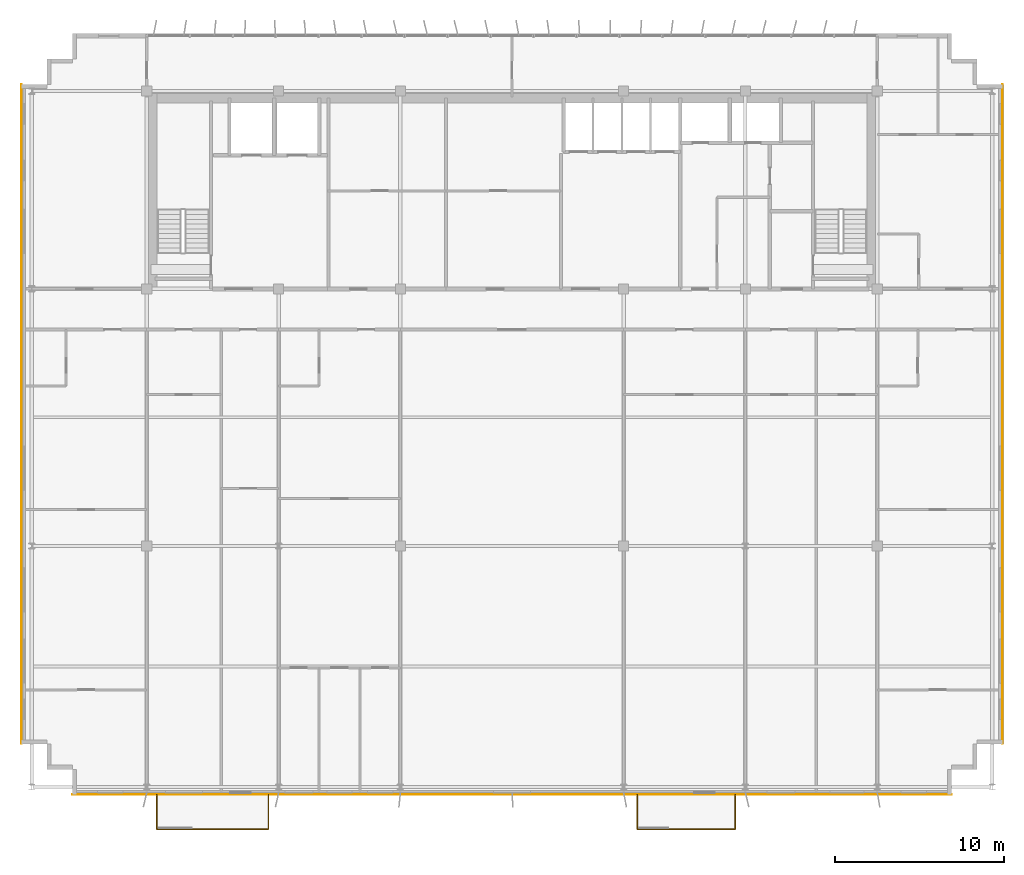
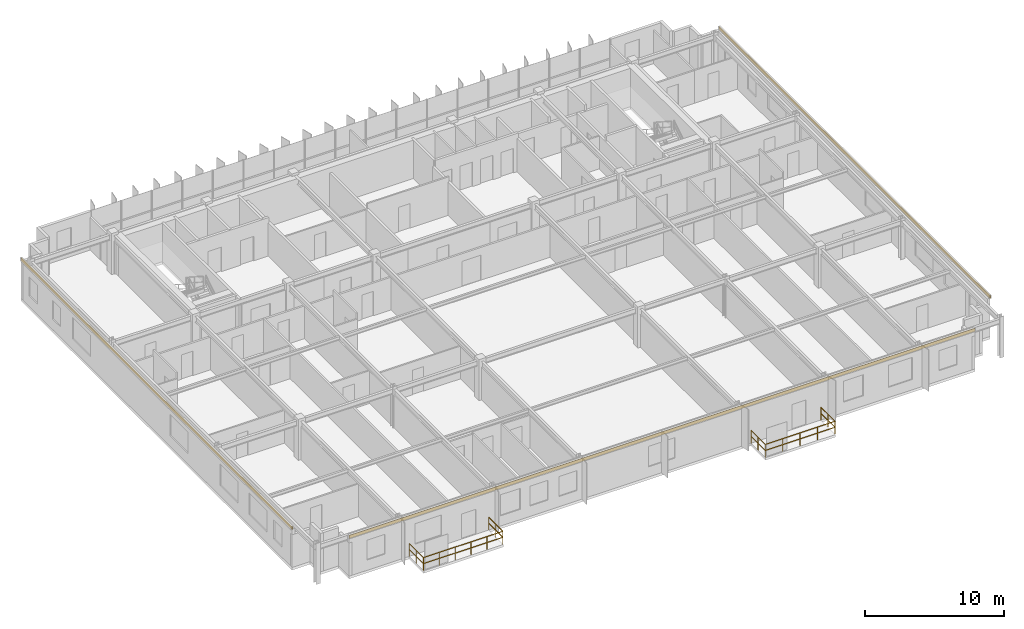
# One storey, part 21 of 22: 6 railings, 3 coverings.
"""IFC4 building model written with IfcOpenShell, lengths in metres."""

from ifc_helpers import new_model, si_unit, direction, frame, origin, origin_2d, place, context, subcontext, project, spatial, rectangle, extrude, source, transform, mapped, material, layer, layer_set, type_object, element, save


model = new_model("IFC4")

# Units and contexts
model_context = context("Model", 3, precision=1e-05, world=origin(), true_north=direction((0.0, 1.0)))
body_context = subcontext(model_context, "Body", "Model", "MODEL_VIEW")
ifc_project = project(units=[si_unit("LENGTHUNIT", "METRE"), si_unit("AREAUNIT", "SQUARE_METRE"), si_unit("VOLUMEUNIT", "CUBIC_METRE"), si_unit("PLANEANGLEUNIT", "RADIAN"), si_unit("MASSUNIT", "GRAM", prefix="KILO")], contexts=[model_context])

# Site, building, storey
site_placement = place(None, origin())
site = spatial("IfcSite", under=ifc_project, at=site_placement, CompositionType="ELEMENT")
building_placement = place(site_placement, origin())
building = spatial("IfcBuilding", under=site, at=building_placement, Name="Trelvane Seafront Commons", CompositionType="ELEMENT")
storey_placement = place(building_placement, frame((0.0, 0.0, 277.5)))
storey = spatial("IfcBuildingStorey", under=building, at=storey_placement, Name="L72", CompositionType="ELEMENT", Elevation=277.5)

# Railings
ifc_material_1 = material(Name="Stainless steel balustrade", Category="steel")
railing_type = type_object("IfcRailingType", Name="ARCH-RAIL-BAL1150", PredefinedType="BALUSTRADE", material=ifc_material_1)
railing_1_placement = place(storey_placement, frame((16.199951171875, 3.5, 0.0)))
element("IfcRailing", 1, at=railing_1_placement, inside=storey, type_object=railing_type, Name="RL-L72-BAL0-01", PredefinedType="BALUSTRADE", context=body_context, shape_type="SweptSolid", body=[
    extrude(rectangle(XDim=0.048095703125, YDim=0.048095703125, at=origin_2d()), frame((0.0, 0.0, 1.1259765625), z_axis=(0.0, -1.0, 0.0), x_axis=(1.0, 0.0, 0.0)), (0.0, 0.0, 1.0), 2.0400390625),
    extrude(rectangle(XDim=0.048095703125, YDim=0.048095703125, at=origin_2d()), frame((0.0, 0.0, 0.597900390625), z_axis=(0.0, -1.0, 0.0), x_axis=(1.0, 0.0, 0.0)), (0.0, 0.0, 1.0), 2.0400390625),
    extrude(rectangle(XDim=0.0419921875, YDim=0.0419921875, at=origin_2d()), origin(), (0.0, 0.0, 1.0), 1.1259765625),
    extrude(rectangle(XDim=0.0419921875, YDim=0.0419921875, at=origin_2d()), frame((0.0, -1.02001953125, 0.0)), (0.0, 0.0, 1.0), 1.1259765625),
    extrude(rectangle(XDim=0.0419921875, YDim=0.0419921875, at=origin_2d()), frame((0.0, -2.0400390625, 0.0)), (0.0, 0.0, 1.0), 1.1259765625),
])
railing_2_placement = place(storey_placement, frame((16.199951171875, 1.4599609375, 0.0)))
element("IfcRailing", 2, at=railing_2_placement, inside=storey, type_object=railing_type, Name="RL-L72-BAL0-02", PredefinedType="BALUSTRADE", context=body_context, shape_type="SweptSolid", body=[
    extrude(rectangle(XDim=0.048095703125, YDim=0.048095703125, at=origin_2d()), frame((0.0, 0.0, 1.1259765625), z_axis=(1.0, 0.0, 0.0), x_axis=(0.0, 1.0, 0.0)), (0.0, 0.0, 1.0), 6.60009765625),
    extrude(rectangle(XDim=0.048095703125, YDim=0.048095703125, at=origin_2d()), frame((0.0, 0.0, 0.597900390625), z_axis=(1.0, 0.0, 0.0), x_axis=(0.0, 1.0, 0.0)), (0.0, 0.0, 1.0), 6.60009765625),
    extrude(rectangle(XDim=0.0419921875, YDim=0.0419921875, at=origin_2d()), origin(), (0.0, 0.0, 1.0), 1.1259765625),
    extrude(rectangle(XDim=0.0419921875, YDim=0.0419921875, at=origin_2d()), frame((1.320068359375, 0.0, 0.0)), (0.0, 0.0, 1.0), 1.1259765625),
    extrude(rectangle(XDim=0.0419921875, YDim=0.0419921875, at=origin_2d()), frame((2.64013671875, 0.0, 0.0)), (0.0, 0.0, 1.0), 1.1259765625),
    extrude(rectangle(XDim=0.0419921875, YDim=0.0419921875, at=origin_2d()), frame((3.9599609375, 0.0, 0.0)), (0.0, 0.0, 1.0), 1.1259765625),
    extrude(rectangle(XDim=0.0419921875, YDim=0.0419921875, at=origin_2d()), frame((5.280029296875, 0.0, 0.0)), (0.0, 0.0, 1.0), 1.1259765625),
    extrude(rectangle(XDim=0.0419921875, YDim=0.0419921875, at=origin_2d()), frame((6.60009765625, 0.0, 0.0)), (0.0, 0.0, 1.0), 1.1259765625),
])
railing_3_placement = place(storey_placement, frame((22.800048828125, 1.4599609375, 0.0)))
element("IfcRailing", 3, at=railing_3_placement, inside=storey, type_object=railing_type, Name="RL-L72-BAL0-03", PredefinedType="BALUSTRADE", context=body_context, shape_type="SweptSolid", body=[
    extrude(rectangle(XDim=0.048095703125, YDim=0.048095703125, at=origin_2d()), frame((0.0, 0.0, 1.1259765625), z_axis=(0.0, 1.0, 0.0), x_axis=(-1.0, 0.0, 0.0)), (0.0, 0.0, 1.0), 2.0400390625),
    extrude(rectangle(XDim=0.048095703125, YDim=0.048095703125, at=origin_2d()), frame((0.0, 0.0, 0.597900390625), z_axis=(0.0, 1.0, 0.0), x_axis=(-1.0, 0.0, 0.0)), (0.0, 0.0, 1.0), 2.0400390625),
    extrude(rectangle(XDim=0.0419921875, YDim=0.0419921875, at=origin_2d()), origin(), (0.0, 0.0, 1.0), 1.1259765625),
    extrude(rectangle(XDim=0.0419921875, YDim=0.0419921875, at=origin_2d()), frame((0.0, 1.02001953125, 0.0)), (0.0, 0.0, 1.0), 1.1259765625),
    extrude(rectangle(XDim=0.0419921875, YDim=0.0419921875, at=origin_2d()), frame((0.0, 2.0400390625, 0.0)), (0.0, 0.0, 1.0), 1.1259765625),
])
railing_4_placement = place(storey_placement, frame((44.60009765625, 3.5, 0.0)))
element("IfcRailing", 4, at=railing_4_placement, inside=storey, type_object=railing_type, Name="RL-L72-BAL1-01", PredefinedType="BALUSTRADE", context=body_context, shape_type="SweptSolid", body=[
    extrude(rectangle(XDim=0.048095703125, YDim=0.048095703125, at=origin_2d()), frame((0.0, 0.0, 1.1259765625), z_axis=(0.0, -1.0, 0.0), x_axis=(1.0, 0.0, 0.0)), (0.0, 0.0, 1.0), 2.0400390625),
    extrude(rectangle(XDim=0.048095703125, YDim=0.048095703125, at=origin_2d()), frame((0.0, 0.0, 0.597900390625), z_axis=(0.0, -1.0, 0.0), x_axis=(1.0, 0.0, 0.0)), (0.0, 0.0, 1.0), 2.0400390625),
    extrude(rectangle(XDim=0.0419921875, YDim=0.0419921875, at=origin_2d()), origin(), (0.0, 0.0, 1.0), 1.1259765625),
    extrude(rectangle(XDim=0.0419921875, YDim=0.0419921875, at=origin_2d()), frame((0.0, -1.02001953125, 0.0)), (0.0, 0.0, 1.0), 1.1259765625),
    extrude(rectangle(XDim=0.0419921875, YDim=0.0419921875, at=origin_2d()), frame((0.0, -2.0400390625, 0.0)), (0.0, 0.0, 1.0), 1.1259765625),
])
railing_5_placement = place(storey_placement, frame((44.60009765625, 1.4599609375, 0.0)))
element("IfcRailing", 5, at=railing_5_placement, inside=storey, type_object=railing_type, Name="RL-L72-BAL1-02", PredefinedType="BALUSTRADE", context=body_context, shape_type="SweptSolid", body=[
    extrude(rectangle(XDim=0.048095703125, YDim=0.048095703125, at=origin_2d()), frame((0.0, 0.0, 1.1259765625), z_axis=(1.0, 0.0, 0.0), x_axis=(0.0, 1.0, 0.0)), (0.0, 0.0, 1.0), 5.7998046875),
    extrude(rectangle(XDim=0.048095703125, YDim=0.048095703125, at=origin_2d()), frame((0.0, 0.0, 0.597900390625), z_axis=(1.0, 0.0, 0.0), x_axis=(0.0, 1.0, 0.0)), (0.0, 0.0, 1.0), 5.7998046875),
    extrude(rectangle(XDim=0.0419921875, YDim=0.0419921875, at=origin_2d()), origin(), (0.0, 0.0, 1.0), 1.1259765625),
    extrude(rectangle(XDim=0.0419921875, YDim=0.0419921875, at=origin_2d()), frame((1.449951171875, 0.0, 0.0)), (0.0, 0.0, 1.0), 1.1259765625),
    extrude(rectangle(XDim=0.0419921875, YDim=0.0419921875, at=origin_2d()), frame((2.89990234375, 0.0, 0.0)), (0.0, 0.0, 1.0), 1.1259765625),
    extrude(rectangle(XDim=0.0419921875, YDim=0.0419921875, at=origin_2d()), frame((4.349853515625, 0.0, 0.0)), (0.0, 0.0, 1.0), 1.1259765625),
    extrude(rectangle(XDim=0.0419921875, YDim=0.0419921875, at=origin_2d()), frame((5.7998046875, 0.0, 0.0)), (0.0, 0.0, 1.0), 1.1259765625),
])
railing_6_placement = place(storey_placement, frame((50.39990234375, 1.4599609375, 0.0)))
element("IfcRailing", 6, at=railing_6_placement, inside=storey, type_object=railing_type, Name="RL-L72-BAL1-03", PredefinedType="BALUSTRADE", context=body_context, shape_type="SweptSolid", body=[
    extrude(rectangle(XDim=0.048095703125, YDim=0.048095703125, at=origin_2d()), frame((0.0, 0.0, 1.1259765625), z_axis=(0.0, 1.0, 0.0), x_axis=(-1.0, 0.0, 0.0)), (0.0, 0.0, 1.0), 2.0400390625),
    extrude(rectangle(XDim=0.048095703125, YDim=0.048095703125, at=origin_2d()), frame((0.0, 0.0, 0.597900390625), z_axis=(0.0, 1.0, 0.0), x_axis=(-1.0, 0.0, 0.0)), (0.0, 0.0, 1.0), 2.0400390625),
    extrude(rectangle(XDim=0.0419921875, YDim=0.0419921875, at=origin_2d()), origin(), (0.0, 0.0, 1.0), 1.1259765625),
    extrude(rectangle(XDim=0.0419921875, YDim=0.0419921875, at=origin_2d()), frame((0.0, 1.02001953125, 0.0)), (0.0, 0.0, 1.0), 1.1259765625),
    extrude(rectangle(XDim=0.0419921875, YDim=0.0419921875, at=origin_2d()), frame((0.0, 2.0400390625, 0.0)), (0.0, 0.0, 1.0), 1.1259765625),
])

# Coverings
ifc_material_2 = material(Name="Anodised pale-silver aluminium", Category="aluminium")
ifc_layer = layer(ifc_material_2, 0.034912109375, Name="ARCH-COV-CLAD35")
ifc_layer_set = layer_set([ifc_layer], Name="Anodised pale-silver aluminium")
covering_type = type_object("IfcCoveringType", Name="ARCH-COV-CLAD35", PredefinedType="CLADDING", material=ifc_layer_set)
shared_shape_1 = source(origin(), body_context, "Body", "SweptSolid", [
    extrude(rectangle(XDim=39.0, YDim=0.034912109375, at=origin_2d()), origin(), (0.0, 0.0, 1.0), 0.27001953125),
])
for number, where, z_axis, x_axis, name in (
    (7, (8.199951171875, 26.0, 3.330078125), (0.0, 0.0, 1.0), (0.0, 1.0, 0.0), "CLD-L72-00287"),
    (8, (66.199951171875, 26.0, 3.330078125), (0.0, 0.0, 1.0), (0.0, -1.0, 0.0), "CLD-L72-00288"),
):
    element("IfcCovering", number, at=place(storey_placement, frame(where, z_axis=z_axis, x_axis=x_axis)), inside=storey, type_object=covering_type, Name=name, PredefinedType="CLADDING", context=body_context, shape_type="MappedRepresentation", body=[
        mapped(shared_shape_1, transform((0.0, 0.0, 0.0), x_axis=(1.0, 0.0, 0.0), y_axis=(0.0, 1.0, 0.0), z_axis=(0.0, 0.0, 1.0), scale=1.0)),
    ])
shared_shape_2 = source(origin(), body_context, "Body", "SweptSolid", [
    extrude(rectangle(XDim=52.0, YDim=0.034912109375, at=origin_2d()), origin(), (0.0, 0.0, 1.0), 0.27001953125),
])
covering_placement = place(storey_placement, frame((37.199951171875, 3.5, 3.330078125), z_axis=(0.0, 0.0, 1.0), x_axis=(-1.0, 0.0, 0.0)))
element("IfcCovering", 9, at=covering_placement, inside=storey, type_object=covering_type, Name="CLD-L72-00289", PredefinedType="CLADDING", context=body_context, shape_type="MappedRepresentation", body=[
    mapped(shared_shape_2, transform((0.0, 0.0, 0.0), x_axis=(1.0, 0.0, 0.0), y_axis=(0.0, 1.0, 0.0), z_axis=(0.0, 0.0, 1.0), scale=1.0)),
])

save(model, "model.ifc")
